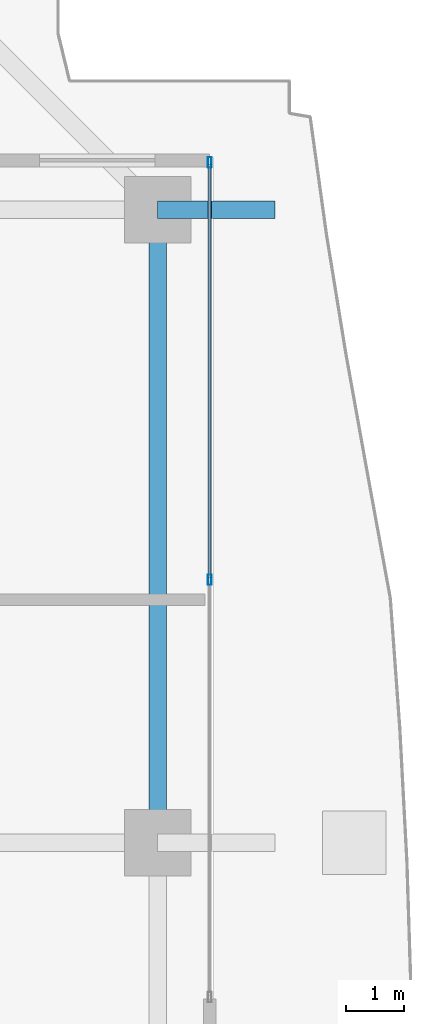
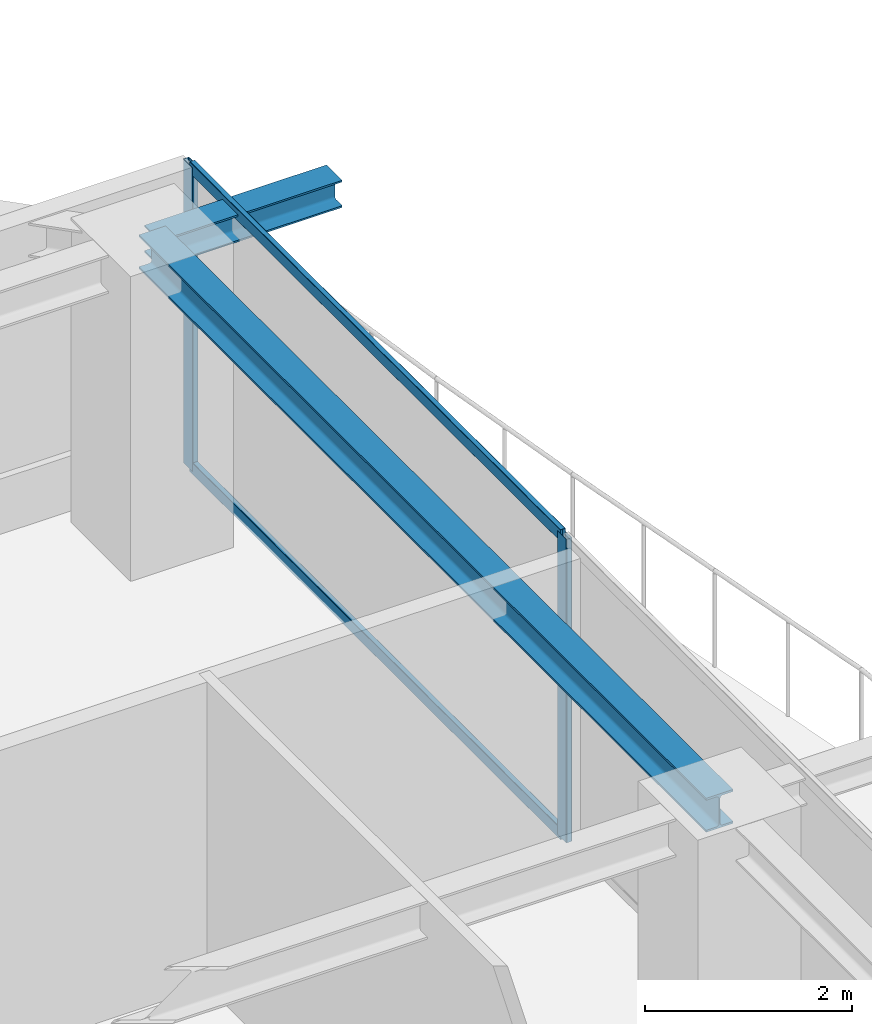
# One storey, part 23 of 37: 4 members, 2 beams, 1 element without a shape of its own.
"""IFC4 building model written with IfcOpenShell, lengths in metres."""

from ifc_helpers import new_model, si_unit, direction, frame, origin, origin_2d, place, context, subcontext, project, spatial, hollow_rectangle, i_section, extrude, source, transform, mapped, material, layer, layer_set, material_profile, profile_set, type_object, element, aggregate, save


model = new_model("IFC4")

# Units and contexts
model_context = context("Model", 3, precision=1e-05, world=origin(), true_north=direction((0.0, 1.0)))
body_context = subcontext(model_context, "Body", "Model", "MODEL_VIEW")
ifc_project = project(units=[si_unit("LENGTHUNIT", "METRE"), si_unit("AREAUNIT", "SQUARE_METRE"), si_unit("VOLUMEUNIT", "CUBIC_METRE"), si_unit("PLANEANGLEUNIT", "RADIAN"), si_unit("MASSUNIT", "GRAM", prefix="KILO")], contexts=[model_context])

# Site, building, storey
site_placement = place(None, origin())
site = spatial("IfcSite", under=ifc_project, at=site_placement, CompositionType="ELEMENT")
building_placement = place(site_placement, origin())
building = spatial("IfcBuilding", under=site, at=building_placement, Name="Serunith Strait Residences", CompositionType="ELEMENT")
storey_placement = place(building_placement, frame((0.0, 0.0, 248.949951171875)))
storey = spatial("IfcBuildingStorey", under=building, at=storey_placement, Name="L62", CompositionType="ELEMENT", Elevation=248.949951171875)

# Beams
ifc_material_1 = material(Name="Steel S355J2", Category="steel")
ifc_material_profile_1 = material_profile(ifc_material_1, i_section(OverallWidth=0.300048828125, OverallDepth=0.39990234375, WebThickness=0.013427734375, FlangeThickness=0.02392578125, FilletRadius=0.027099609375, at=origin_2d()), Name="HEB 400")
ifc_profile_set_1 = profile_set([ifc_material_profile_1], Name="Steel S355J2")
beam_type_1 = type_object("IfcBeamType", Name="BM-HEB400", PredefinedType="BEAM", material=ifc_profile_set_1)
shared_shape_1 = source(origin(), body_context, "Body", "SweptSolid", [
    extrude(i_section(OverallWidth=0.300048828125, OverallDepth=0.39990234375, WebThickness=0.013427734375, FlangeThickness=0.02392578125, FilletRadius=0.027099609375, at=origin_2d()), origin(), (0.0, 0.0, 1.0), 10.9501953125),
])
beam_1_placement = place(storey_placement, frame((56.5, 29.39990234375, 3.386962890625), z_axis=(0.0, 1.0, 0.0), x_axis=(-1.0, 0.0, 0.0)))
element("IfcBeam", 1, at=beam_1_placement, inside=storey, type_object=beam_type_1, Name="L62 Perimeter Ring Beam 07", PredefinedType="BEAM", context=body_context, shape_type="MappedRepresentation", body=[
    mapped(shared_shape_1, transform((0.0, 0.0, 0.0), scale=1.0)),
])
ifc_material_profile_2 = material_profile(ifc_material_1, i_section(OverallWidth=0.300048828125, OverallDepth=0.320068359375, WebThickness=0.011474609375, FlangeThickness=0.0205078125, FilletRadius=0.027099609375, at=origin_2d()), Name="HEB 320")
ifc_profile_set_2 = profile_set([ifc_material_profile_2], Name="Steel S355J2")
beam_type_2 = type_object("IfcBeamType", Name="BM-HEB320", PredefinedType="BEAM", material=ifc_profile_set_2)
shared_shape_2 = source(origin(), body_context, "Body", "SweptSolid", [
    extrude(i_section(OverallWidth=0.300048828125, OverallDepth=0.320068359375, WebThickness=0.011474609375, FlangeThickness=0.0205078125, FilletRadius=0.027099609375, at=origin_2d()), origin(), (0.0, 0.0, 1.0), 2.030029296875),
])
beam_2_placement = place(storey_placement, frame((56.5, 40.35009765625, 3.39697265625), z_axis=(1.0, 0.0, 0.0), x_axis=(0.0, 1.0, 0.0)))
element("IfcBeam", 2, at=beam_2_placement, inside=storey, type_object=beam_type_2, Name="L63 Cantilevered Balcony Rib TC-E4", PredefinedType="BEAM", context=body_context, shape_type="MappedRepresentation", body=[
    mapped(shared_shape_2, transform((0.0, 0.0, 0.0), scale=1.0)),
])

# Curtain wall, members
ifc_material_2 = material(Name="Pale-Champagne Anodised Aluminium", Category="aluminium")
ifc_layer = layer(ifc_material_2, 0.199951171875, Name="Pale-Champagne Anodised Aluminium")
ifc_layer_set = layer_set([ifc_layer], Name="Pale-Champagne Anodised Aluminium")
curtain_wall_type = type_object("IfcCurtainWallType", Name="CW-SYS4", PredefinedType="NOTDEFINED", material=ifc_layer_set)
curtain_wall_placement = place(storey_placement, origin())
curtain_wall = element("IfcCurtainWall", 3, at=curtain_wall_placement, inside=storey, type_object=curtain_wall_type, Name="L62 E Unitised Fritted Curtain Wall", PredefinedType="NOTDEFINED")
ifc_material_profile_3 = material_profile(ifc_material_2, hollow_rectangle(XDim=0.06494140625, YDim=0.179931640625, WallThickness=0.00341796875, InnerFilletRadius=0.00537109375, OuterFilletRadius=0.0087890625, at=origin_2d()), Name="ALU 180x65x3.5")
ifc_profile_set_3 = profile_set([ifc_material_profile_3], Name="Pale-Champagne Anodised Aluminium")
member_type_1 = type_object("IfcMemberType", Name="CW-SYS4-MULL", PredefinedType="MULLION", material=ifc_profile_set_3)
shared_shape_3 = source(origin(), body_context, "Body", "SweptSolid", [
    extrude(hollow_rectangle(XDim=0.06494140625, YDim=0.179931640625, WallThickness=0.00341796875, InnerFilletRadius=0.00537109375, OuterFilletRadius=0.0087890625, at=origin_2d()), origin(), (0.0, 0.0, 1.0), 3.574951171875),
])
member_1_placement = place(storey_placement, frame((57.39990234375, 33.949951171875, 0.0), z_axis=(0.0, 0.0, 1.0), x_axis=(-1.0, 0.0, 0.0)))
member_1 = element("IfcMember", 4, at=member_1_placement, type_object=member_type_1, Name="CW-4 mullion 2", PredefinedType="MULLION", context=body_context, shape_type="MappedRepresentation", body=[
    mapped(shared_shape_3, transform((0.0, 0.0, 0.0), scale=1.0)),
])
member_2_placement = place(storey_placement, frame((57.39990234375, 41.16748046875, 0.0), z_axis=(0.0, 0.0, 1.0), x_axis=(-1.0, 0.0, 0.0)))
member_2 = element("IfcMember", 5, at=member_2_placement, type_object=member_type_1, Name="CW-4 mullion 3", PredefinedType="MULLION", context=body_context, shape_type="MappedRepresentation", body=[
    mapped(shared_shape_3, transform((0.0, 0.0, 0.0), scale=1.0)),
])
ifc_material_profile_4 = material_profile(ifc_material_2, hollow_rectangle(XDim=0.06005859375, YDim=0.139892578125, WallThickness=0.00341796875, InnerFilletRadius=0.00537109375, OuterFilletRadius=0.0087890625, at=origin_2d()), Name="ALU 140x60x3.5")
ifc_profile_set_4 = profile_set([ifc_material_profile_4], Name="Pale-Champagne Anodised Aluminium")
member_type_2 = type_object("IfcMemberType", Name="CW-SYS4-TRAN", PredefinedType="USERDEFINED", material=ifc_profile_set_4)
shared_shape_4 = source(origin(), body_context, "Body", "SweptSolid", [
    extrude(hollow_rectangle(XDim=0.06005859375, YDim=0.139892578125, WallThickness=0.00341796875, InnerFilletRadius=0.00537109375, OuterFilletRadius=0.0087890625, at=origin_2d()), origin(), (0.0, 0.0, 1.0), 7.152587890625),
])
member_3_placement = place(storey_placement, frame((57.39990234375, 33.982421875, 0.030029296875), z_axis=(0.0, 1.0, 0.0), x_axis=(-1.0, 0.0, 0.0)))
member_3 = element("IfcMember", 6, at=member_3_placement, type_object=member_type_2, Name="CW-4 transom 2.1", ObjectType="TRANSOM", PredefinedType="USERDEFINED", context=body_context, shape_type="MappedRepresentation", body=[
    mapped(shared_shape_4, transform((0.0, 0.0, 0.0), scale=1.0)),
])
member_4_placement = place(storey_placement, frame((57.39990234375, 33.982421875, 3.545166015625), z_axis=(0.0, 1.0, 0.0), x_axis=(-1.0, 0.0, 0.0)))
member_4 = element("IfcMember", 7, at=member_4_placement, type_object=member_type_2, Name="CW-4 transom 2.2", ObjectType="TRANSOM", PredefinedType="USERDEFINED", context=body_context, shape_type="MappedRepresentation", body=[
    mapped(shared_shape_4, transform((0.0, 0.0, 0.0), scale=1.0)),
])
aggregate(curtain_wall, [member_1, member_2, member_3, member_4])

save(model, "model.ifc")
